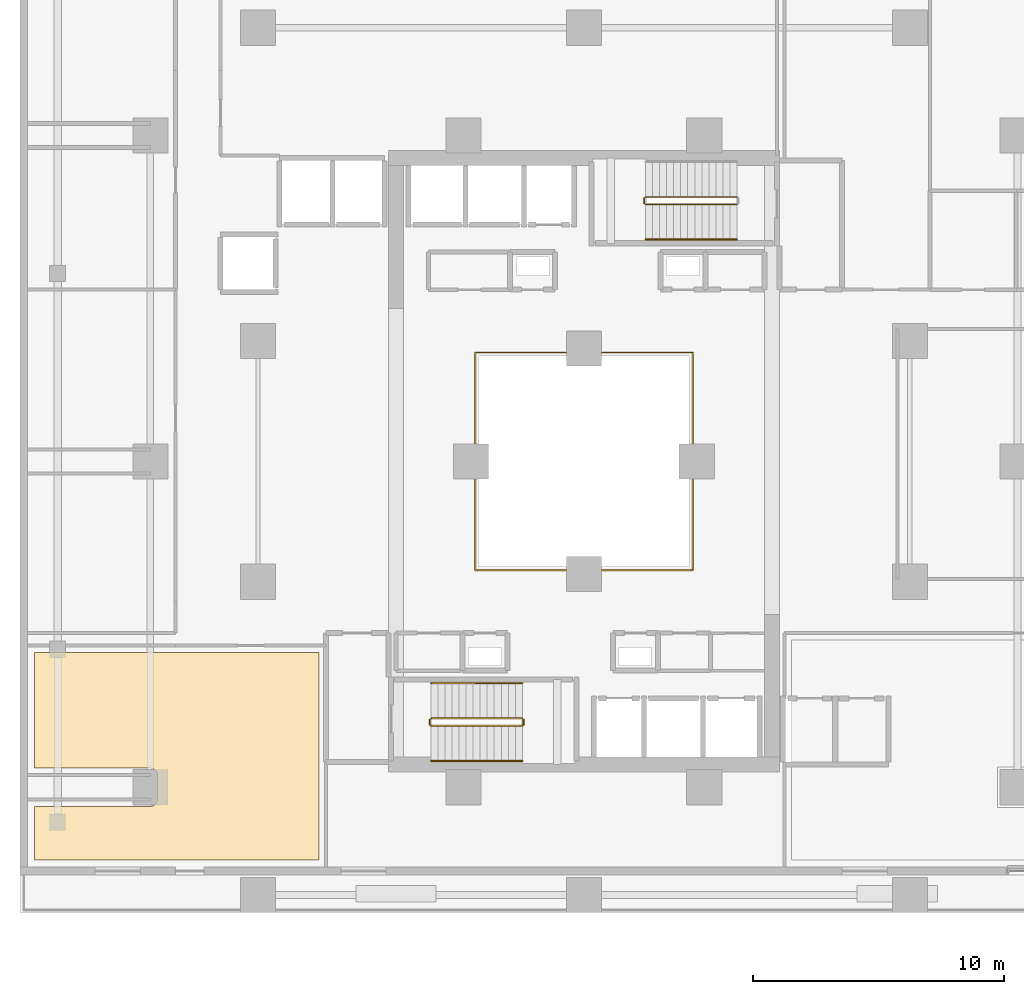
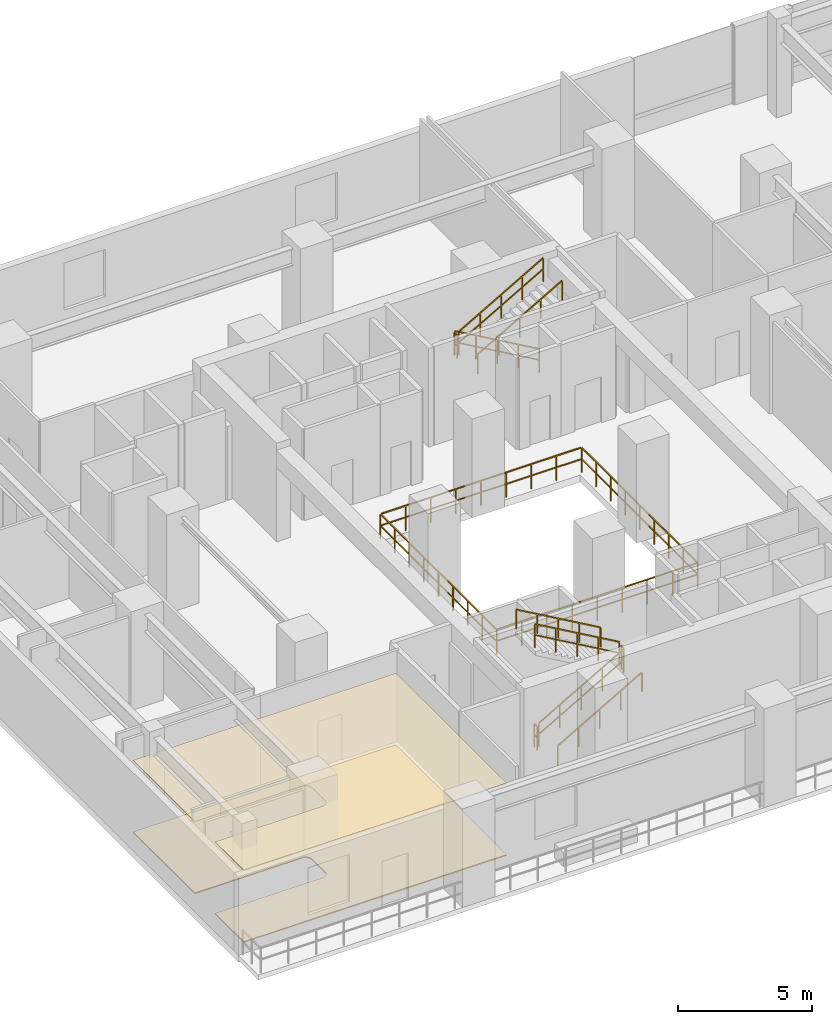
# One storey, part 19 of 22: 11 railings, 2 coverings.
"""IFC4 building model written with IfcOpenShell, lengths in metres."""

from ifc_helpers import new_model, si_unit, direction, frame, origin, origin_2d, place, context, subcontext, project, spatial, polyline, rectangle, outline, extrude, material, layer, layer_set, type_object, element, save


model = new_model("IFC4")

# Units and contexts
model_context = context("Model", 3, precision=1e-05, world=origin(), true_north=direction((0.0, 1.0)))
body_context = subcontext(model_context, "Body", "Model", "MODEL_VIEW")
ifc_project = project(units=[si_unit("LENGTHUNIT", "METRE"), si_unit("AREAUNIT", "SQUARE_METRE"), si_unit("VOLUMEUNIT", "CUBIC_METRE"), si_unit("PLANEANGLEUNIT", "RADIAN"), si_unit("MASSUNIT", "GRAM", prefix="KILO")], contexts=[model_context])

# Site, building, storey
site_placement = place(None, origin())
site = spatial("IfcSite", under=ifc_project, at=site_placement, CompositionType="ELEMENT")
building_placement = place(site_placement, origin())
building = spatial("IfcBuilding", under=site, at=building_placement, Name="Thornwick Lancets Civic Towers", CompositionType="ELEMENT")
storey_placement = place(building_placement, frame((0.0, 0.0, 18.60009765625)))
storey = spatial("IfcBuildingStorey", under=building, at=storey_placement, Name="L04", CompositionType="ELEMENT", Elevation=18.60009765625)

# Coverings
ifc_material_1 = material(Name="Perforated mineral acoustic ceiling tile")
ifc_layer_1 = layer(ifc_material_1, 0.0400390625, Name="Perforated mineral acoustic ceiling tile")
ifc_layer_set_1 = layer_set([ifc_layer_1], Name="Perforated mineral acoustic ceiling tile")
covering_type_1 = type_object("IfcCoveringType", Name="COV_CEIL_ACOUSTIC", PredefinedType="CEILING", material=ifc_layer_set_1)
covering_1_placement = place(storey_placement, frame((0.0, 0.0, 3.27392578125)))
element("IfcCovering", 1, at=covering_1_placement, inside=storey, type_object=covering_type_1, Name="L04 Ministry Policy Directorate West Ceiling", PredefinedType="CEILING", context=body_context, shape_type="SweptSolid", body=[
    extrude(outline(polyline([(14.919921875, 19.3701171875), (14.919921875, 11.10009765625), (3.580078125, 11.10009765625), (3.580078125, 13.239990234375), (8.199951171875, 13.239990234375), (8.227294921875, 13.2412109375), (8.254638671875, 13.245361328125), (8.28125, 13.252197265625), (8.30712890625, 13.26123046875), (8.33203125, 13.273193359375), (8.355712890625, 13.287109375), (8.377685546875, 13.3037109375), (8.39794921875, 13.322021484375), (8.41650390625, 13.34228515625), (8.432861328125, 13.364501953125), (8.447021484375, 13.387939453125), (8.458740234375, 13.412841796875), (8.468017578125, 13.438720703125), (8.474609375, 13.46533203125), (8.478759765625, 13.49267578125), (8.47998046875, 13.52001953125), (8.47998046875, 14.47998046875), (8.478759765625, 14.50732421875), (8.474609375, 14.53466796875), (8.468017578125, 14.561279296875), (8.458740234375, 14.587158203125), (8.447021484375, 14.612060546875), (8.432861328125, 14.635498046875), (8.41650390625, 14.65771484375), (8.39794921875, 14.677978515625), (8.377685546875, 14.6962890625), (8.355712890625, 14.712890625), (8.33203125, 14.726806640625), (8.30712890625, 14.73876953125), (8.28125, 14.747802734375), (8.254638671875, 14.754638671875), (8.227294921875, 14.7587890625), (8.199951171875, 14.760009765625), (3.580078125, 14.760009765625), (3.580078125, 19.3701171875), (14.919921875, 19.3701171875)])), origin(), (0.0, 0.0, 1.0), 0.0400390625),
])
ifc_material_2 = material(Name="Calcium-sulfate raised access floor panel")
ifc_layer_2 = layer(ifc_material_2, 0.050048828125, Name="Calcium-sulfate raised access floor panel")
ifc_layer_set_2 = layer_set([ifc_layer_2], Name="Calcium-sulfate raised access floor panel")
covering_type_2 = type_object("IfcCoveringType", Name="COV_FLOOR_RAISED", PredefinedType="FLOORING", material=ifc_layer_set_2)
covering_2_placement = place(storey_placement, origin())
element("IfcCovering", 2, at=covering_2_placement, inside=storey, type_object=covering_type_2, Name="L04 Ministry Policy Directorate West Raised Access Flooring", PredefinedType="FLOORING", context=body_context, shape_type="SweptSolid", body=[
    extrude(outline(polyline([(14.919921875, 19.3701171875), (14.919921875, 11.10009765625), (3.580078125, 11.10009765625), (3.580078125, 13.239990234375), (8.199951171875, 13.239990234375), (8.227294921875, 13.2412109375), (8.254638671875, 13.245361328125), (8.28125, 13.252197265625), (8.30712890625, 13.26123046875), (8.33203125, 13.273193359375), (8.355712890625, 13.287109375), (8.377685546875, 13.3037109375), (8.39794921875, 13.322021484375), (8.41650390625, 13.34228515625), (8.432861328125, 13.364501953125), (8.447021484375, 13.387939453125), (8.458740234375, 13.412841796875), (8.468017578125, 13.438720703125), (8.474609375, 13.46533203125), (8.478759765625, 13.49267578125), (8.47998046875, 13.52001953125), (8.47998046875, 14.47998046875), (8.478759765625, 14.50732421875), (8.474609375, 14.53466796875), (8.468017578125, 14.561279296875), (8.458740234375, 14.587158203125), (8.447021484375, 14.612060546875), (8.432861328125, 14.635498046875), (8.41650390625, 14.65771484375), (8.39794921875, 14.677978515625), (8.377685546875, 14.6962890625), (8.355712890625, 14.712890625), (8.33203125, 14.726806640625), (8.30712890625, 14.73876953125), (8.28125, 14.747802734375), (8.254638671875, 14.754638671875), (8.227294921875, 14.7587890625), (8.199951171875, 14.760009765625), (3.580078125, 14.760009765625), (3.580078125, 19.3701171875), (14.919921875, 19.3701171875)])), origin(), (0.0, 0.0, 1.0), 0.0498046875),
])

# Railings
ifc_material_3 = material(Name="Laminated glass and bronze steel S355", Category="steel")
railing_type_1 = type_object("IfcRailingType", Name="RAIL_ATRIUM_GUARD", PredefinedType="BALUSTRADE", material=ifc_material_3)
railing_1_placement = place(storey_placement, frame((21.159912109375, 22.659912109375, 0.0)))
element("IfcRailing", 3, at=railing_1_placement, inside=storey, type_object=railing_type_1, Name="L04 Tower A Central Atrium Guard Balustrade", PredefinedType="BALUSTRADE", context=body_context, shape_type="SweptSolid", body=[
    extrude(rectangle(XDim=0.048095703125, YDim=0.048095703125, at=origin_2d()), frame((0.0, 0.0, 1.1259765625), z_axis=(1.0, 0.0, 0.0), x_axis=(0.0, 1.0, 0.0)), (0.0, 0.0, 1.0), 8.64892578125),
    extrude(rectangle(XDim=0.0419921875, YDim=0.0419921875, at=origin_2d()), frame((0.03759765625, 0.0, 0.597900390625), z_axis=(1.0, 0.0, 0.0), x_axis=(0.0, 1.0, 0.0)), (0.0, 0.0, 1.0), 1.010009765625),
    extrude(rectangle(XDim=0.0419921875, YDim=0.0419921875, at=origin_2d()), frame((1.12255859375, 0.0, 0.597900390625), z_axis=(1.0, 0.0, 0.0), x_axis=(0.0, 1.0, 0.0)), (0.0, 0.0, 1.0), 1.010009765625),
    extrude(rectangle(XDim=0.0419921875, YDim=0.0419921875, at=origin_2d()), frame((2.20751953125, 0.0, 0.597900390625), z_axis=(1.0, 0.0, 0.0), x_axis=(0.0, 1.0, 0.0)), (0.0, 0.0, 1.0), 1.010009765625),
    extrude(rectangle(XDim=0.0419921875, YDim=0.0419921875, at=origin_2d()), frame((3.29248046875, 0.0, 0.597900390625), z_axis=(1.0, 0.0, 0.0), x_axis=(0.0, 1.0, 0.0)), (0.0, 0.0, 1.0), 1.010009765625),
    extrude(rectangle(XDim=0.0419921875, YDim=0.0419921875, at=origin_2d()), frame((4.377685546875, 0.0, 0.597900390625), z_axis=(1.0, 0.0, 0.0), x_axis=(0.0, 1.0, 0.0)), (0.0, 0.0, 1.0), 1.010009765625),
    extrude(rectangle(XDim=0.0419921875, YDim=0.0419921875, at=origin_2d()), frame((5.462646484375, 0.0, 0.597900390625), z_axis=(1.0, 0.0, 0.0), x_axis=(0.0, 1.0, 0.0)), (0.0, 0.0, 1.0), 1.010009765625),
    extrude(rectangle(XDim=0.0419921875, YDim=0.0419921875, at=origin_2d()), frame((6.547607421875, 0.0, 0.597900390625), z_axis=(1.0, 0.0, 0.0), x_axis=(0.0, 1.0, 0.0)), (0.0, 0.0, 1.0), 1.010009765625),
    extrude(rectangle(XDim=0.0419921875, YDim=0.0419921875, at=origin_2d()), frame((7.632568359375, 0.0, 0.597900390625), z_axis=(1.0, 0.0, 0.0), x_axis=(0.0, 1.0, 0.0)), (0.0, 0.0, 1.0), 1.010009765625),
    extrude(rectangle(XDim=0.048095703125, YDim=0.048095703125, at=origin_2d()), frame((8.68017578125, 0.03125, 1.1259765625), z_axis=(0.0, 1.0, 0.0), x_axis=(-1.0, 0.0, 0.0)), (0.0, 0.0, 1.0), 8.61767578125),
    extrude(rectangle(XDim=0.0419921875, YDim=0.0419921875, at=origin_2d()), frame((8.68017578125, 0.03759765625, 0.597900390625), z_axis=(0.0, 1.0, 0.0), x_axis=(-1.0, 0.0, 0.0)), (0.0, 0.0, 1.0), 1.010009765625),
    extrude(rectangle(XDim=0.0419921875, YDim=0.0419921875, at=origin_2d()), frame((8.68017578125, 1.12255859375, 0.597900390625), z_axis=(0.0, 1.0, 0.0), x_axis=(-1.0, 0.0, 0.0)), (0.0, 0.0, 1.0), 1.010009765625),
    extrude(rectangle(XDim=0.0419921875, YDim=0.0419921875, at=origin_2d()), frame((8.68017578125, 2.20751953125, 0.597900390625), z_axis=(0.0, 1.0, 0.0), x_axis=(-1.0, 0.0, 0.0)), (0.0, 0.0, 1.0), 1.010009765625),
    extrude(rectangle(XDim=0.0419921875, YDim=0.0419921875, at=origin_2d()), frame((8.68017578125, 3.29248046875, 0.597900390625), z_axis=(0.0, 1.0, 0.0), x_axis=(-1.0, 0.0, 0.0)), (0.0, 0.0, 1.0), 1.010009765625),
    extrude(rectangle(XDim=0.0419921875, YDim=0.0419921875, at=origin_2d()), frame((8.68017578125, 4.377685546875, 0.597900390625), z_axis=(0.0, 1.0, 0.0), x_axis=(-1.0, 0.0, 0.0)), (0.0, 0.0, 1.0), 1.010009765625),
    extrude(rectangle(XDim=0.0419921875, YDim=0.0419921875, at=origin_2d()), frame((8.68017578125, 5.462646484375, 0.597900390625), z_axis=(0.0, 1.0, 0.0), x_axis=(-1.0, 0.0, 0.0)), (0.0, 0.0, 1.0), 1.010009765625),
    extrude(rectangle(XDim=0.0419921875, YDim=0.0419921875, at=origin_2d()), frame((8.68017578125, 6.547607421875, 0.597900390625), z_axis=(0.0, 1.0, 0.0), x_axis=(-1.0, 0.0, 0.0)), (0.0, 0.0, 1.0), 1.010009765625),
    extrude(rectangle(XDim=0.0419921875, YDim=0.0419921875, at=origin_2d()), frame((8.68017578125, 7.632568359375, 0.597900390625), z_axis=(0.0, 1.0, 0.0), x_axis=(-1.0, 0.0, 0.0)), (0.0, 0.0, 1.0), 1.010009765625),
    extrude(rectangle(XDim=0.048095703125, YDim=0.048095703125, at=origin_2d()), frame((8.64892578125, 8.68017578125, 1.1259765625), z_axis=(-1.0, 0.0, 0.0), x_axis=(0.0, -1.0, 0.0)), (0.0, 0.0, 1.0), 8.61767578125),
    extrude(rectangle(XDim=0.0419921875, YDim=0.0419921875, at=origin_2d()), frame((8.642578125, 8.68017578125, 0.597900390625), z_axis=(-1.0, 0.0, 0.0), x_axis=(0.0, -1.0, 0.0)), (0.0, 0.0, 1.0), 1.010009765625),
    extrude(rectangle(XDim=0.0419921875, YDim=0.0419921875, at=origin_2d()), frame((7.5576171875, 8.68017578125, 0.597900390625), z_axis=(-1.0, 0.0, 0.0), x_axis=(0.0, -1.0, 0.0)), (0.0, 0.0, 1.0), 1.010009765625),
    extrude(rectangle(XDim=0.0419921875, YDim=0.0419921875, at=origin_2d()), frame((6.47265625, 8.68017578125, 0.597900390625), z_axis=(-1.0, 0.0, 0.0), x_axis=(0.0, -1.0, 0.0)), (0.0, 0.0, 1.0), 1.010009765625),
    extrude(rectangle(XDim=0.0419921875, YDim=0.0419921875, at=origin_2d()), frame((5.3876953125, 8.68017578125, 0.597900390625), z_axis=(-1.0, 0.0, 0.0), x_axis=(0.0, -1.0, 0.0)), (0.0, 0.0, 1.0), 1.010009765625),
    extrude(rectangle(XDim=0.0419921875, YDim=0.0419921875, at=origin_2d()), frame((4.302490234375, 8.68017578125, 0.597900390625), z_axis=(-1.0, 0.0, 0.0), x_axis=(0.0, -1.0, 0.0)), (0.0, 0.0, 1.0), 1.010009765625),
    extrude(rectangle(XDim=0.0419921875, YDim=0.0419921875, at=origin_2d()), frame((3.217529296875, 8.68017578125, 0.597900390625), z_axis=(-1.0, 0.0, 0.0), x_axis=(0.0, -1.0, 0.0)), (0.0, 0.0, 1.0), 1.010009765625),
    extrude(rectangle(XDim=0.0419921875, YDim=0.0419921875, at=origin_2d()), frame((2.132568359375, 8.68017578125, 0.597900390625), z_axis=(-1.0, 0.0, 0.0), x_axis=(0.0, -1.0, 0.0)), (0.0, 0.0, 1.0), 1.010009765625),
    extrude(rectangle(XDim=0.0419921875, YDim=0.0419921875, at=origin_2d()), frame((1.047607421875, 8.68017578125, 0.597900390625), z_axis=(-1.0, 0.0, 0.0), x_axis=(0.0, -1.0, 0.0)), (0.0, 0.0, 1.0), 1.010009765625),
    extrude(rectangle(XDim=0.048095703125, YDim=0.048095703125, at=origin_2d()), frame((0.0, 8.64892578125, 1.1259765625), z_axis=(0.0, -1.0, 0.0), x_axis=(1.0, 0.0, 0.0)), (0.0, 0.0, 1.0), 8.64892578125),
    extrude(rectangle(XDim=0.0419921875, YDim=0.0419921875, at=origin_2d()), frame((0.0, 8.642578125, 0.597900390625), z_axis=(0.0, -1.0, 0.0), x_axis=(1.0, 0.0, 0.0)), (0.0, 0.0, 1.0), 1.010009765625),
    extrude(rectangle(XDim=0.0419921875, YDim=0.0419921875, at=origin_2d()), frame((0.0, 7.5576171875, 0.597900390625), z_axis=(0.0, -1.0, 0.0), x_axis=(1.0, 0.0, 0.0)), (0.0, 0.0, 1.0), 1.010009765625),
    extrude(rectangle(XDim=0.0419921875, YDim=0.0419921875, at=origin_2d()), frame((0.0, 6.47265625, 0.597900390625), z_axis=(0.0, -1.0, 0.0), x_axis=(1.0, 0.0, 0.0)), (0.0, 0.0, 1.0), 1.010009765625),
    extrude(rectangle(XDim=0.0419921875, YDim=0.0419921875, at=origin_2d()), frame((0.0, 5.3876953125, 0.597900390625), z_axis=(0.0, -1.0, 0.0), x_axis=(1.0, 0.0, 0.0)), (0.0, 0.0, 1.0), 1.010009765625),
    extrude(rectangle(XDim=0.0419921875, YDim=0.0419921875, at=origin_2d()), frame((0.0, 4.302490234375, 0.597900390625), z_axis=(0.0, -1.0, 0.0), x_axis=(1.0, 0.0, 0.0)), (0.0, 0.0, 1.0), 1.010009765625),
    extrude(rectangle(XDim=0.0419921875, YDim=0.0419921875, at=origin_2d()), frame((0.0, 3.217529296875, 0.597900390625), z_axis=(0.0, -1.0, 0.0), x_axis=(1.0, 0.0, 0.0)), (0.0, 0.0, 1.0), 1.010009765625),
    extrude(rectangle(XDim=0.0419921875, YDim=0.0419921875, at=origin_2d()), frame((0.0, 2.132568359375, 0.597900390625), z_axis=(0.0, -1.0, 0.0), x_axis=(1.0, 0.0, 0.0)), (0.0, 0.0, 1.0), 1.010009765625),
    extrude(rectangle(XDim=0.0419921875, YDim=0.0419921875, at=origin_2d()), frame((0.0, 1.047607421875, 0.597900390625), z_axis=(0.0, -1.0, 0.0), x_axis=(1.0, 0.0, 0.0)), (0.0, 0.0, 1.0), 1.010009765625),
    extrude(rectangle(XDim=0.0419921875, YDim=0.0419921875, at=origin_2d()), origin(), (0.0, 0.0, 1.0), 1.095703125),
    extrude(rectangle(XDim=0.0419921875, YDim=0.0419921875, at=origin_2d()), frame((1.0849609375, 0.0, 0.0)), (0.0, 0.0, 1.0), 1.095703125),
    extrude(rectangle(XDim=0.0419921875, YDim=0.0419921875, at=origin_2d()), frame((2.169921875, 0.0, 0.0)), (0.0, 0.0, 1.0), 1.095703125),
    extrude(rectangle(XDim=0.0419921875, YDim=0.0419921875, at=origin_2d()), frame((3.255126953125, 0.0, 0.0)), (0.0, 0.0, 1.0), 1.095703125),
    extrude(rectangle(XDim=0.0419921875, YDim=0.0419921875, at=origin_2d()), frame((4.340087890625, 0.0, 0.0)), (0.0, 0.0, 1.0), 1.095703125),
    extrude(rectangle(XDim=0.0419921875, YDim=0.0419921875, at=origin_2d()), frame((5.425048828125, 0.0, 0.0)), (0.0, 0.0, 1.0), 1.095703125),
    extrude(rectangle(XDim=0.0419921875, YDim=0.0419921875, at=origin_2d()), frame((6.51025390625, 0.0, 0.0)), (0.0, 0.0, 1.0), 1.095703125),
    extrude(rectangle(XDim=0.0419921875, YDim=0.0419921875, at=origin_2d()), frame((7.59521484375, 0.0, 0.0)), (0.0, 0.0, 1.0), 1.095703125),
    extrude(rectangle(XDim=0.0419921875, YDim=0.0419921875, at=origin_2d()), frame((8.68017578125, 0.0, 0.0)), (0.0, 0.0, 1.0), 1.095703125),
    extrude(rectangle(XDim=0.0419921875, YDim=0.0419921875, at=origin_2d()), frame((8.68017578125, 1.0849609375, 0.0)), (0.0, 0.0, 1.0), 1.095703125),
    extrude(rectangle(XDim=0.0419921875, YDim=0.0419921875, at=origin_2d()), frame((8.68017578125, 2.169921875, 0.0)), (0.0, 0.0, 1.0), 1.095703125),
    extrude(rectangle(XDim=0.0419921875, YDim=0.0419921875, at=origin_2d()), frame((8.68017578125, 3.255126953125, 0.0)), (0.0, 0.0, 1.0), 1.095703125),
    extrude(rectangle(XDim=0.0419921875, YDim=0.0419921875, at=origin_2d()), frame((8.68017578125, 4.340087890625, 0.0)), (0.0, 0.0, 1.0), 1.095703125),
    extrude(rectangle(XDim=0.0419921875, YDim=0.0419921875, at=origin_2d()), frame((8.68017578125, 5.425048828125, 0.0)), (0.0, 0.0, 1.0), 1.095703125),
    extrude(rectangle(XDim=0.0419921875, YDim=0.0419921875, at=origin_2d()), frame((8.68017578125, 6.51025390625, 0.0)), (0.0, 0.0, 1.0), 1.095703125),
    extrude(rectangle(XDim=0.0419921875, YDim=0.0419921875, at=origin_2d()), frame((8.68017578125, 7.59521484375, 0.0)), (0.0, 0.0, 1.0), 1.095703125),
    extrude(rectangle(XDim=0.0419921875, YDim=0.0419921875, at=origin_2d()), frame((8.68017578125, 8.68017578125, 0.0)), (0.0, 0.0, 1.0), 1.095703125),
    extrude(rectangle(XDim=0.0419921875, YDim=0.0419921875, at=origin_2d()), frame((7.59521484375, 8.68017578125, 0.0)), (0.0, 0.0, 1.0), 1.095703125),
    extrude(rectangle(XDim=0.0419921875, YDim=0.0419921875, at=origin_2d()), frame((6.51025390625, 8.68017578125, 0.0)), (0.0, 0.0, 1.0), 1.095703125),
    extrude(rectangle(XDim=0.0419921875, YDim=0.0419921875, at=origin_2d()), frame((5.425048828125, 8.68017578125, 0.0)), (0.0, 0.0, 1.0), 1.095703125),
    extrude(rectangle(XDim=0.0419921875, YDim=0.0419921875, at=origin_2d()), frame((4.340087890625, 8.68017578125, 0.0)), (0.0, 0.0, 1.0), 1.095703125),
    extrude(rectangle(XDim=0.0419921875, YDim=0.0419921875, at=origin_2d()), frame((3.255126953125, 8.68017578125, 0.0)), (0.0, 0.0, 1.0), 1.095703125),
    extrude(rectangle(XDim=0.0419921875, YDim=0.0419921875, at=origin_2d()), frame((2.169921875, 8.68017578125, 0.0)), (0.0, 0.0, 1.0), 1.095703125),
    extrude(rectangle(XDim=0.0419921875, YDim=0.0419921875, at=origin_2d()), frame((1.0849609375, 8.68017578125, 0.0)), (0.0, 0.0, 1.0), 1.095703125),
    extrude(rectangle(XDim=0.0419921875, YDim=0.0419921875, at=origin_2d()), frame((0.0, 8.68017578125, 0.0)), (0.0, 0.0, 1.0), 1.095703125),
    extrude(rectangle(XDim=0.0419921875, YDim=0.0419921875, at=origin_2d()), frame((0.0, 7.59521484375, 0.0)), (0.0, 0.0, 1.0), 1.095703125),
    extrude(rectangle(XDim=0.0419921875, YDim=0.0419921875, at=origin_2d()), frame((0.0, 6.51025390625, 0.0)), (0.0, 0.0, 1.0), 1.095703125),
    extrude(rectangle(XDim=0.0419921875, YDim=0.0419921875, at=origin_2d()), frame((0.0, 5.425048828125, 0.0)), (0.0, 0.0, 1.0), 1.095703125),
    extrude(rectangle(XDim=0.0419921875, YDim=0.0419921875, at=origin_2d()), frame((0.0, 4.340087890625, 0.0)), (0.0, 0.0, 1.0), 1.095703125),
    extrude(rectangle(XDim=0.0419921875, YDim=0.0419921875, at=origin_2d()), frame((0.0, 3.255126953125, 0.0)), (0.0, 0.0, 1.0), 1.095703125),
    extrude(rectangle(XDim=0.0419921875, YDim=0.0419921875, at=origin_2d()), frame((0.0, 2.169921875, 0.0)), (0.0, 0.0, 1.0), 1.095703125),
    extrude(rectangle(XDim=0.0419921875, YDim=0.0419921875, at=origin_2d()), frame((0.0, 1.0849609375, 0.0)), (0.0, 0.0, 1.0), 1.095703125),
])
ifc_material_4 = material(Name="Brushed stainless steel S355", Category="steel")
railing_type_2 = type_object("IfcRailingType", Name="RAIL_HANDRAIL", PredefinedType="HANDRAIL", material=ifc_material_4)
railing_2_placement = place(storey_placement, frame((19.39990234375, 15.050048828125, 0.16064453125)))
element("IfcRailing", 4, at=railing_2_placement, inside=storey, type_object=railing_type_2, Name="L04 ST-A1 stair handrail 1", PredefinedType="HANDRAIL", context=body_context, shape_type="SweptSolid", body=[
    extrude(rectangle(XDim=0.048095703125, YDim=0.048095703125, at=origin_2d()), frame((0.0, 0.0, 0.8857421875), z_axis=(0.867289372828, 0.0, 0.497804322781), x_axis=(0.0, 1.0, 0.0)), (0.0, 0.0, 1.0), 4.197021484375),
    extrude(rectangle(XDim=0.0419921875, YDim=0.0419921875, at=origin_2d()), origin(), (0.0, 0.0, 1.0), 0.855712890625),
    extrude(rectangle(XDim=0.0419921875, YDim=0.0419921875, at=origin_2d()), frame((0.91015625, 0.0, 0.5224609375)), (0.0, 0.0, 1.0), 0.855712890625),
    extrude(rectangle(XDim=0.0419921875, YDim=0.0419921875, at=origin_2d()), frame((1.820068359375, 0.0, 1.044677734375)), (0.0, 0.0, 1.0), 0.855712890625),
    extrude(rectangle(XDim=0.0419921875, YDim=0.0419921875, at=origin_2d()), frame((2.72998046875, 0.0, 1.56689453125)), (0.0, 0.0, 1.0), 0.855712890625),
    extrude(rectangle(XDim=0.0419921875, YDim=0.0419921875, at=origin_2d()), frame((3.64013671875, 0.0, 2.08935546875)), (0.0, 0.0, 1.0), 0.855712890625),
])
railing_3_placement = place(storey_placement, frame((23.0400390625, 18.14990234375, 2.41064453125)))
element("IfcRailing", 5, at=railing_3_placement, inside=storey, type_object=railing_type_2, Name="L04 ST-A1 stair handrail 2", PredefinedType="HANDRAIL", context=body_context, shape_type="SweptSolid", body=[
    extrude(rectangle(XDim=0.048095703125, YDim=0.048095703125, at=origin_2d()), frame((0.0, 0.0, 0.8857421875), z_axis=(-0.867289372828, 0.0, 0.497804322781), x_axis=(0.0, -1.0, 0.0)), (0.0, 0.0, 1.0), 4.197021484375),
    extrude(rectangle(XDim=0.0419921875, YDim=0.0419921875, at=origin_2d()), origin(), (0.0, 0.0, 1.0), 0.855712890625),
    extrude(rectangle(XDim=0.0419921875, YDim=0.0419921875, at=origin_2d()), frame((-0.91015625, 0.0, 0.5224609375)), (0.0, 0.0, 1.0), 0.855712890625),
    extrude(rectangle(XDim=0.0419921875, YDim=0.0419921875, at=origin_2d()), frame((-1.820068359375, 0.0, 1.044677734375)), (0.0, 0.0, 1.0), 0.855712890625),
    extrude(rectangle(XDim=0.0419921875, YDim=0.0419921875, at=origin_2d()), frame((-2.72998046875, 0.0, 1.56689453125)), (0.0, 0.0, 1.0), 0.855712890625),
    extrude(rectangle(XDim=0.0419921875, YDim=0.0419921875, at=origin_2d()), frame((-3.64013671875, 0.0, 2.08935546875)), (0.0, 0.0, 1.0), 0.855712890625),
])
railing_4_placement = place(storey_placement, frame((27.9599609375, 35.85009765625, 2.41064453125)))
element("IfcRailing", 6, at=railing_4_placement, inside=storey, type_object=railing_type_2, Name="L04 ST-A2 stair handrail 2", PredefinedType="HANDRAIL", context=body_context, shape_type="SweptSolid", body=[
    extrude(rectangle(XDim=0.048095703125, YDim=0.048095703125, at=origin_2d()), frame((0.0, 0.0, 0.8857421875), z_axis=(0.867289372828, 0.0, 0.497804322781), x_axis=(0.0, 1.0, 0.0)), (0.0, 0.0, 1.0), 4.197021484375),
    extrude(rectangle(XDim=0.0419921875, YDim=0.0419921875, at=origin_2d()), origin(), (0.0, 0.0, 1.0), 0.855712890625),
    extrude(rectangle(XDim=0.0419921875, YDim=0.0419921875, at=origin_2d()), frame((0.91015625, 0.0, 0.5224609375)), (0.0, 0.0, 1.0), 0.855712890625),
    extrude(rectangle(XDim=0.0419921875, YDim=0.0419921875, at=origin_2d()), frame((1.820068359375, 0.0, 1.044677734375)), (0.0, 0.0, 1.0), 0.855712890625),
    extrude(rectangle(XDim=0.0419921875, YDim=0.0419921875, at=origin_2d()), frame((2.72998046875, 0.0, 1.56689453125)), (0.0, 0.0, 1.0), 0.855712890625),
    extrude(rectangle(XDim=0.0419921875, YDim=0.0419921875, at=origin_2d()), frame((3.64013671875, 0.0, 2.08935546875)), (0.0, 0.0, 1.0), 0.855712890625),
])
ifc_material_5 = material(Name="Steel S355JR", Category="steel")
railing_type_3 = type_object("IfcRailingType", Name="RAIL_STAIR_GUARD", PredefinedType="GUARDRAIL", material=ifc_material_5)
railing_5_placement = place(storey_placement, frame((19.39990234375, 16.449951171875, 0.16064453125)))
element("IfcRailing", 7, at=railing_5_placement, inside=storey, type_object=railing_type_3, Name="L04 ST-A1 stair guard 1", PredefinedType="GUARDRAIL", context=body_context, shape_type="SweptSolid", body=[
    extrude(rectangle(XDim=0.048095703125, YDim=0.048095703125, at=origin_2d()), frame((0.0, 0.0, 1.076171875), z_axis=(0.867289372828, 0.0, 0.497804322781), x_axis=(0.0, 1.0, 0.0)), (0.0, 0.0, 1.0), 4.197021484375),
    extrude(rectangle(XDim=0.0419921875, YDim=0.0419921875, at=origin_2d()), frame((0.032470703125, 0.0, 0.5908203125), z_axis=(0.867289372828, 0.0, 0.497804322781), x_axis=(0.0, 1.0, 0.0)), (0.0, 0.0, 1.0), 0.974365234375),
    extrude(rectangle(XDim=0.0419921875, YDim=0.0419921875, at=origin_2d()), frame((0.942626953125, 0.0, 1.113037109375), z_axis=(0.867289372828, 0.0, 0.497804322781), x_axis=(0.0, 1.0, 0.0)), (0.0, 0.0, 1.0), 0.974365234375),
    extrude(rectangle(XDim=0.0419921875, YDim=0.0419921875, at=origin_2d()), frame((1.8525390625, 0.0, 1.635498046875), z_axis=(0.867289372828, 0.0, 0.497804322781), x_axis=(0.0, 1.0, 0.0)), (0.0, 0.0, 1.0), 0.974365234375),
    extrude(rectangle(XDim=0.0419921875, YDim=0.0419921875, at=origin_2d()), frame((2.7626953125, 0.0, 2.15771484375), z_axis=(0.867289372828, 0.0, 0.497804322781), x_axis=(0.0, 1.0, 0.0)), (0.0, 0.0, 1.0), 0.974365234375),
    extrude(rectangle(XDim=0.0419921875, YDim=0.0419921875, at=origin_2d()), origin(), (0.0, 0.0, 1.0), 1.0458984375),
    extrude(rectangle(XDim=0.0419921875, YDim=0.0419921875, at=origin_2d()), frame((0.91015625, 0.0, 0.5224609375)), (0.0, 0.0, 1.0), 1.0458984375),
    extrude(rectangle(XDim=0.0419921875, YDim=0.0419921875, at=origin_2d()), frame((1.820068359375, 0.0, 1.044677734375)), (0.0, 0.0, 1.0), 1.0458984375),
    extrude(rectangle(XDim=0.0419921875, YDim=0.0419921875, at=origin_2d()), frame((2.72998046875, 0.0, 1.56689453125)), (0.0, 0.0, 1.0), 1.0458984375),
    extrude(rectangle(XDim=0.0419921875, YDim=0.0419921875, at=origin_2d()), frame((3.64013671875, 0.0, 2.08935546875)), (0.0, 0.0, 1.0), 1.0458984375),
])
railing_6_placement = place(storey_placement, frame((23.090087890625, 16.5, 2.25)))
element("IfcRailing", 8, at=railing_6_placement, inside=storey, type_object=railing_type_3, Name="L04 ST-A1 stair guard 2", PredefinedType="GUARDRAIL", context=body_context, shape_type="SweptSolid", body=[
    extrude(rectangle(XDim=0.048095703125, YDim=0.048095703125, at=origin_2d()), frame((0.0, 0.0, 1.076171875), z_axis=(0.0, 1.0, 0.0), x_axis=(-1.0, 0.0, 0.0)), (0.0, 0.0, 1.0), 0.199951171875),
    extrude(rectangle(XDim=0.0419921875, YDim=0.0419921875, at=origin_2d()), frame((0.0, 0.03759765625, 0.572021484375), z_axis=(0.0, 1.0, 0.0), x_axis=(-1.0, 0.0, 0.0)), (0.0, 0.0, 1.0), 0.125),
    extrude(rectangle(XDim=0.0419921875, YDim=0.0419921875, at=origin_2d()), origin(), (0.0, 0.0, 1.0), 1.0458984375),
    extrude(rectangle(XDim=0.0419921875, YDim=0.0419921875, at=origin_2d()), frame((0.0, 0.199951171875, 0.0)), (0.0, 0.0, 1.0), 1.0458984375),
])
railing_7_placement = place(storey_placement, frame((23.0400390625, 16.75, 2.41064453125)))
element("IfcRailing", 9, at=railing_7_placement, inside=storey, type_object=railing_type_3, Name="L04 ST-A1 stair guard 3", PredefinedType="GUARDRAIL", context=body_context, shape_type="SweptSolid", body=[
    extrude(rectangle(XDim=0.048095703125, YDim=0.048095703125, at=origin_2d()), frame((0.0, 0.0, 1.076171875), z_axis=(-0.867289372828, 0.0, 0.497804322781), x_axis=(0.0, -1.0, 0.0)), (0.0, 0.0, 1.0), 4.197021484375),
    extrude(rectangle(XDim=0.0419921875, YDim=0.0419921875, at=origin_2d()), frame((-0.032470703125, 0.0, 0.5908203125), z_axis=(-0.867289372828, 0.0, 0.497804322781), x_axis=(0.0, -1.0, 0.0)), (0.0, 0.0, 1.0), 0.974365234375),
    extrude(rectangle(XDim=0.0419921875, YDim=0.0419921875, at=origin_2d()), frame((-0.942626953125, 0.0, 1.113037109375), z_axis=(-0.867289372828, 0.0, 0.497804322781), x_axis=(0.0, -1.0, 0.0)), (0.0, 0.0, 1.0), 0.974365234375),
    extrude(rectangle(XDim=0.0419921875, YDim=0.0419921875, at=origin_2d()), frame((-1.8525390625, 0.0, 1.635498046875), z_axis=(-0.867289372828, 0.0, 0.497804322781), x_axis=(0.0, -1.0, 0.0)), (0.0, 0.0, 1.0), 0.974365234375),
    extrude(rectangle(XDim=0.0419921875, YDim=0.0419921875, at=origin_2d()), frame((-2.7626953125, 0.0, 2.15771484375), z_axis=(-0.867289372828, 0.0, 0.497804322781), x_axis=(0.0, -1.0, 0.0)), (0.0, 0.0, 1.0), 0.974365234375),
    extrude(rectangle(XDim=0.0419921875, YDim=0.0419921875, at=origin_2d()), origin(), (0.0, 0.0, 1.0), 1.0458984375),
    extrude(rectangle(XDim=0.0419921875, YDim=0.0419921875, at=origin_2d()), frame((-0.91015625, 0.0, 0.5224609375)), (0.0, 0.0, 1.0), 1.0458984375),
    extrude(rectangle(XDim=0.0419921875, YDim=0.0419921875, at=origin_2d()), frame((-1.820068359375, 0.0, 1.044677734375)), (0.0, 0.0, 1.0), 1.0458984375),
    extrude(rectangle(XDim=0.0419921875, YDim=0.0419921875, at=origin_2d()), frame((-2.72998046875, 0.0, 1.56689453125)), (0.0, 0.0, 1.0), 1.0458984375),
    extrude(rectangle(XDim=0.0419921875, YDim=0.0419921875, at=origin_2d()), frame((-3.64013671875, 0.0, 2.08935546875)), (0.0, 0.0, 1.0), 1.0458984375),
])
railing_8_placement = place(storey_placement, frame((19.35009765625, 16.5, 0.0)))
element("IfcRailing", 10, at=railing_8_placement, inside=storey, type_object=railing_type_3, Name="L04 ST-A1 stair guard 4", PredefinedType="GUARDRAIL", context=body_context, shape_type="SweptSolid", body=[
    extrude(rectangle(XDim=0.048095703125, YDim=0.048095703125, at=origin_2d()), frame((0.0, 0.0, 1.076171875), z_axis=(0.0, 1.0, 0.0), x_axis=(-1.0, 0.0, 0.0)), (0.0, 0.0, 1.0), 0.199951171875),
    extrude(rectangle(XDim=0.0419921875, YDim=0.0419921875, at=origin_2d()), frame((0.0, 0.03759765625, 0.572021484375), z_axis=(0.0, 1.0, 0.0), x_axis=(-1.0, 0.0, 0.0)), (0.0, 0.0, 1.0), 0.125),
    extrude(rectangle(XDim=0.0419921875, YDim=0.0419921875, at=origin_2d()), origin(), (0.0, 0.0, 1.0), 1.0458984375),
    extrude(rectangle(XDim=0.0419921875, YDim=0.0419921875, at=origin_2d()), frame((0.0, 0.199951171875, 0.0)), (0.0, 0.0, 1.0), 1.0458984375),
])
railing_9_placement = place(storey_placement, frame((31.60009765625, 37.550048828125, 0.16064453125)))
element("IfcRailing", 11, at=railing_9_placement, inside=storey, type_object=railing_type_3, Name="L04 ST-A2 stair guard 1", PredefinedType="GUARDRAIL", context=body_context, shape_type="SweptSolid", body=[
    extrude(rectangle(XDim=0.048095703125, YDim=0.048095703125, at=origin_2d()), frame((0.0, 0.0, 1.076171875), z_axis=(-0.867289372828, 0.0, 0.497804322781), x_axis=(0.0, -1.0, 0.0)), (0.0, 0.0, 1.0), 4.197021484375),
    extrude(rectangle(XDim=0.0419921875, YDim=0.0419921875, at=origin_2d()), frame((-0.032470703125, 0.0, 0.5908203125), z_axis=(-0.867289372828, 0.0, 0.497804322781), x_axis=(0.0, -1.0, 0.0)), (0.0, 0.0, 1.0), 0.974365234375),
    extrude(rectangle(XDim=0.0419921875, YDim=0.0419921875, at=origin_2d()), frame((-0.942626953125, 0.0, 1.113037109375), z_axis=(-0.867289372828, 0.0, 0.497804322781), x_axis=(0.0, -1.0, 0.0)), (0.0, 0.0, 1.0), 0.974365234375),
    extrude(rectangle(XDim=0.0419921875, YDim=0.0419921875, at=origin_2d()), frame((-1.8525390625, 0.0, 1.635498046875), z_axis=(-0.867289372828, 0.0, 0.497804322781), x_axis=(0.0, -1.0, 0.0)), (0.0, 0.0, 1.0), 0.974365234375),
    extrude(rectangle(XDim=0.0419921875, YDim=0.0419921875, at=origin_2d()), frame((-2.7626953125, 0.0, 2.15771484375), z_axis=(-0.867289372828, 0.0, 0.497804322781), x_axis=(0.0, -1.0, 0.0)), (0.0, 0.0, 1.0), 0.974365234375),
    extrude(rectangle(XDim=0.0419921875, YDim=0.0419921875, at=origin_2d()), origin(), (0.0, 0.0, 1.0), 1.0458984375),
    extrude(rectangle(XDim=0.0419921875, YDim=0.0419921875, at=origin_2d()), frame((-0.91015625, 0.0, 0.5224609375)), (0.0, 0.0, 1.0), 1.0458984375),
    extrude(rectangle(XDim=0.0419921875, YDim=0.0419921875, at=origin_2d()), frame((-1.820068359375, 0.0, 1.044677734375)), (0.0, 0.0, 1.0), 1.0458984375),
    extrude(rectangle(XDim=0.0419921875, YDim=0.0419921875, at=origin_2d()), frame((-2.72998046875, 0.0, 1.56689453125)), (0.0, 0.0, 1.0), 1.0458984375),
    extrude(rectangle(XDim=0.0419921875, YDim=0.0419921875, at=origin_2d()), frame((-3.64013671875, 0.0, 2.08935546875)), (0.0, 0.0, 1.0), 1.0458984375),
])
railing_10_placement = place(storey_placement, frame((27.909912109375, 37.5, 2.25)))
element("IfcRailing", 12, at=railing_10_placement, inside=storey, type_object=railing_type_3, Name="L04 ST-A2 stair guard 2", PredefinedType="GUARDRAIL", context=body_context, shape_type="SweptSolid", body=[
    extrude(rectangle(XDim=0.048095703125, YDim=0.048095703125, at=origin_2d()), frame((0.0, 0.0, 1.076171875), z_axis=(0.0, -1.0, 0.0), x_axis=(1.0, 0.0, 0.0)), (0.0, 0.0, 1.0), 0.199951171875),
    extrude(rectangle(XDim=0.0419921875, YDim=0.0419921875, at=origin_2d()), frame((0.0, -0.03759765625, 0.572021484375), z_axis=(0.0, -1.0, 0.0), x_axis=(1.0, 0.0, 0.0)), (0.0, 0.0, 1.0), 0.125),
    extrude(rectangle(XDim=0.0419921875, YDim=0.0419921875, at=origin_2d()), origin(), (0.0, 0.0, 1.0), 1.0458984375),
    extrude(rectangle(XDim=0.0419921875, YDim=0.0419921875, at=origin_2d()), frame((0.0, -0.199951171875, 0.0)), (0.0, 0.0, 1.0), 1.0458984375),
])
railing_11_placement = place(storey_placement, frame((27.9599609375, 37.25, 2.41064453125)))
element("IfcRailing", 13, at=railing_11_placement, inside=storey, type_object=railing_type_3, Name="L04 ST-A2 stair guard 3", PredefinedType="GUARDRAIL", context=body_context, shape_type="SweptSolid", body=[
    extrude(rectangle(XDim=0.048095703125, YDim=0.048095703125, at=origin_2d()), frame((0.0, 0.0, 1.076171875), z_axis=(0.867289372828, 0.0, 0.497804322781), x_axis=(0.0, 1.0, 0.0)), (0.0, 0.0, 1.0), 4.197021484375),
    extrude(rectangle(XDim=0.0419921875, YDim=0.0419921875, at=origin_2d()), frame((0.032470703125, 0.0, 0.5908203125), z_axis=(0.867289372828, 0.0, 0.497804322781), x_axis=(0.0, 1.0, 0.0)), (0.0, 0.0, 1.0), 0.974365234375),
    extrude(rectangle(XDim=0.0419921875, YDim=0.0419921875, at=origin_2d()), frame((0.942626953125, 0.0, 1.113037109375), z_axis=(0.867289372828, 0.0, 0.497804322781), x_axis=(0.0, 1.0, 0.0)), (0.0, 0.0, 1.0), 0.974365234375),
    extrude(rectangle(XDim=0.0419921875, YDim=0.0419921875, at=origin_2d()), frame((1.8525390625, 0.0, 1.635498046875), z_axis=(0.867289372828, 0.0, 0.497804322781), x_axis=(0.0, 1.0, 0.0)), (0.0, 0.0, 1.0), 0.974365234375),
    extrude(rectangle(XDim=0.0419921875, YDim=0.0419921875, at=origin_2d()), frame((2.7626953125, 0.0, 2.15771484375), z_axis=(0.867289372828, 0.0, 0.497804322781), x_axis=(0.0, 1.0, 0.0)), (0.0, 0.0, 1.0), 0.974365234375),
    extrude(rectangle(XDim=0.0419921875, YDim=0.0419921875, at=origin_2d()), origin(), (0.0, 0.0, 1.0), 1.0458984375),
    extrude(rectangle(XDim=0.0419921875, YDim=0.0419921875, at=origin_2d()), frame((0.91015625, 0.0, 0.5224609375)), (0.0, 0.0, 1.0), 1.0458984375),
    extrude(rectangle(XDim=0.0419921875, YDim=0.0419921875, at=origin_2d()), frame((1.820068359375, 0.0, 1.044677734375)), (0.0, 0.0, 1.0), 1.0458984375),
    extrude(rectangle(XDim=0.0419921875, YDim=0.0419921875, at=origin_2d()), frame((2.72998046875, 0.0, 1.56689453125)), (0.0, 0.0, 1.0), 1.0458984375),
    extrude(rectangle(XDim=0.0419921875, YDim=0.0419921875, at=origin_2d()), frame((3.64013671875, 0.0, 2.08935546875)), (0.0, 0.0, 1.0), 1.0458984375),
])

save(model, "model.ifc")
